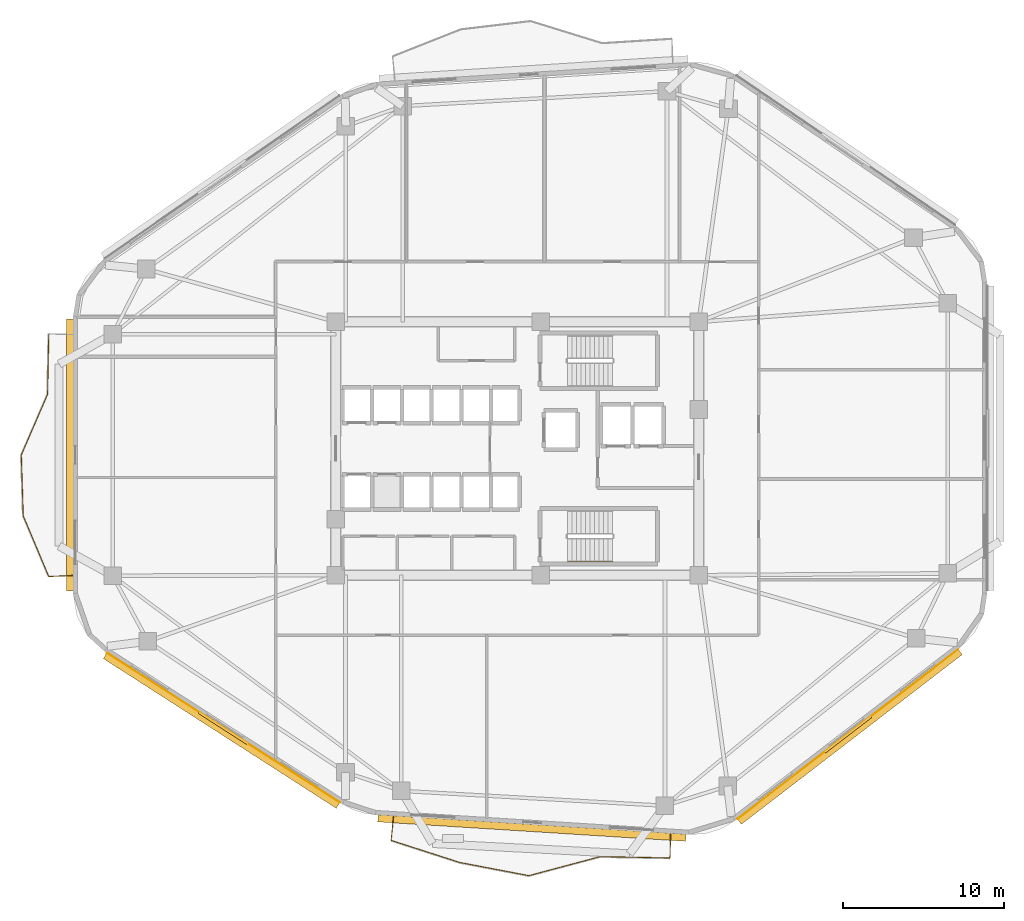
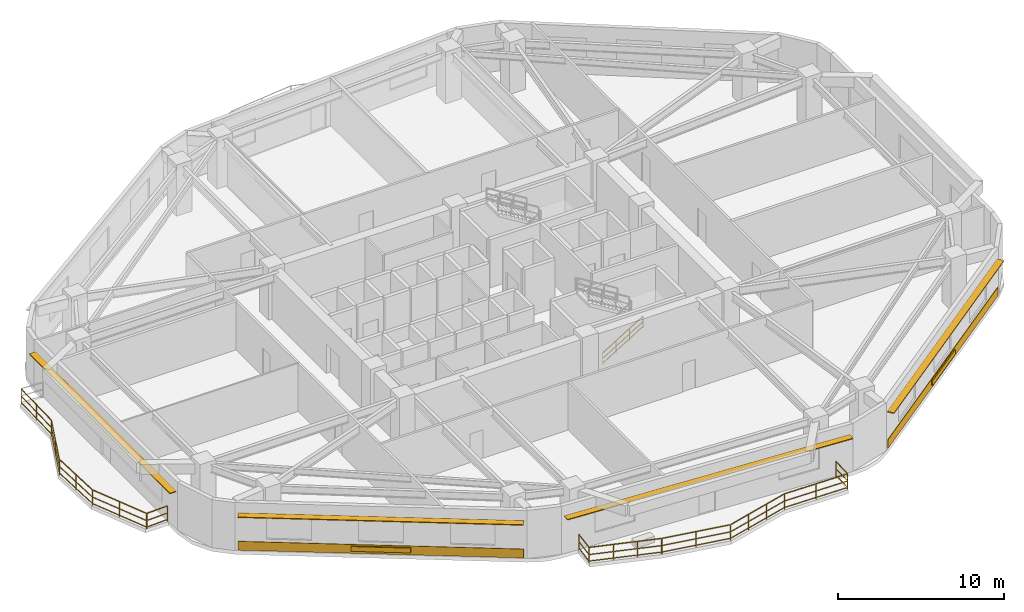
# One storey, part 7 of 10: 12 railings, 6 shading devices, 2 coverings.
"""IFC4 building model written with IfcOpenShell, lengths in metres."""

from ifc_helpers import new_model, si_unit, direction, frame, origin, origin_2d, place, context, subcontext, project, spatial, rectangle, extrude, material, layer, layer_set, type_object, element, save


model = new_model("IFC4")

# Units and contexts
model_context = context("Model", 3, precision=1e-05, world=origin(), true_north=direction((0.0, 1.0)))
body_context = subcontext(model_context, "Body", "Model", "MODEL_VIEW")
ifc_project = project(units=[si_unit("LENGTHUNIT", "METRE"), si_unit("AREAUNIT", "SQUARE_METRE"), si_unit("VOLUMEUNIT", "CUBIC_METRE"), si_unit("PLANEANGLEUNIT", "RADIAN"), si_unit("MASSUNIT", "GRAM", prefix="KILO")], contexts=[model_context])

# Site, building, storey
site_placement = place(None, origin())
site = spatial("IfcSite", under=ifc_project, at=site_placement, CompositionType="ELEMENT")
building_placement = place(site_placement, origin())
building = spatial("IfcBuilding", under=site, at=building_placement, Name="Zulverin Broadcast Headquarters", CompositionType="ELEMENT")
storey_placement = place(building_placement, frame((0.0, 0.0, 97.199951171875)))
storey = spatial("IfcBuildingStorey", under=building, at=storey_placement, Name="L24", CompositionType="ELEMENT", Elevation=97.199951171875)

# Coverings
ifc_material_1 = material(Name="Brushed pale-aluminium rainscreen cladding", Category="aluminium")
ifc_layer_1 = layer(ifc_material_1, 0.0400390625, Name="Brushed pale-aluminium rainscreen cladding", Category="aluminium")
ifc_layer_set_1 = layer_set([ifc_layer_1], Name="Brushed pale-aluminium rainscreen cladding")
covering_type = type_object("IfcCoveringType", Name="COV-CLAD-PALE", PredefinedType="CLADDING", material=ifc_layer_set_1)
covering_1_placement = place(storey_placement, frame((57.542724609375, 7.448974609375, 0.05517578125), z_axis=(0.0, 0.0, 1.0), x_axis=(0.792933468586, 0.609308226102, 0.0)))
element("IfcCovering", 1, at=covering_1_placement, inside=storey, type_object=covering_type, Name="L24 Brushed Pale-Aluminium Spandrel Cladding 2", PredefinedType="CLADDING", context=body_context, shape_type="SweptSolid", body=[
    extrude(rectangle(XDim=17.312744140625, YDim=0.0400390625, at=origin_2d()), origin(), (0.0, 0.0, 1.0), 0.64990234375),
])
covering_2_placement = place(storey_placement, frame((18.732666015625, 7.84130859375, 0.05517578125), z_axis=(0.0, 0.0, 1.0), x_axis=(0.841296678234, -0.540573676007, 0.0)))
element("IfcCovering", 2, at=covering_2_placement, inside=storey, type_object=covering_type, Name="L24 Brushed Pale-Aluminium Spandrel Cladding 8", PredefinedType="CLADDING", context=body_context, shape_type="SweptSolid", body=[
    extrude(rectangle(XDim=17.2119140625, YDim=0.0400390625, at=origin_2d()), origin(), (0.0, 0.0, 1.0), 0.64990234375),
])

# Railings
ifc_material_2 = material(Name="Brushed stainless steel & laminated glass balustrade", Category="steel")
railing_type_1 = type_object("IfcRailingType", Name="RL-GUARD-1150", PredefinedType="GUARDRAIL", material=ifc_material_2)
railing_1_placement = place(storey_placement, frame((7.879638671875, 32.329345703125, 0.0)))
element("IfcRailing", 3, at=railing_1_placement, inside=storey, type_object=railing_type_1, Name="L24 Vertical-Forest Balcony Guardrail BAL_W Segment 02", PredefinedType="GUARDRAIL", context=body_context, shape_type="SweptSolid", body=[
    extrude(rectangle(XDim=0.048095703125, YDim=0.048095703125, at=origin_2d()), frame((0.0, 0.0, 1.1259765625), z_axis=(-0.0196832785, -0.999806265507, 0.0), x_axis=(0.999806265507, -0.0196832785, 0.0)), (0.0, 0.0, 1.0), 3.745849609375),
    extrude(rectangle(XDim=0.0419921875, YDim=0.0419921875, at=origin_2d()), frame((0.0, 0.0, 0.597900390625), z_axis=(-0.0196832785, -0.999806265507, 0.0), x_axis=(0.999806265507, -0.0196832785, 0.0)), (0.0, 0.0, 1.0), 3.745849609375),
    extrude(rectangle(XDim=0.0419921875, YDim=0.0419921875, at=origin_2d()), frame((0.0, 0.0, 0.1201171875), z_axis=(-0.0196832785, -0.999806265507, 0.0), x_axis=(0.999806265507, -0.0196832785, 0.0)), (0.0, 0.0, 1.0), 3.745849609375),
    extrude(rectangle(XDim=0.0419921875, YDim=0.0419921875, at=origin_2d()), origin(), (0.0, 0.0, 1.0), 1.101806640625),
    extrude(rectangle(XDim=0.0419921875, YDim=0.0419921875, at=origin_2d()), frame((-0.036865234375, -1.87255859375, 0.0)), (0.0, 0.0, 1.0), 1.101806640625),
    extrude(rectangle(XDim=0.0419921875, YDim=0.0419921875, at=origin_2d()), frame((-0.07373046875, -3.7451171875, 0.0)), (0.0, 0.0, 1.0), 1.101806640625),
])
railing_2_placement = place(storey_placement, frame((7.799560546875, 28.555419921875, 0.0)))
element("IfcRailing", 4, at=railing_2_placement, inside=storey, type_object=railing_type_1, Name="L24 Vertical-Forest Balcony Guardrail BAL_W Segment 03", PredefinedType="GUARDRAIL", context=body_context, shape_type="SweptSolid", body=[
    extrude(rectangle(XDim=0.048095703125, YDim=0.048095703125, at=origin_2d()), frame((0.0, 0.0, 1.1259765625), z_axis=(-0.396969692409, -0.917831718404, 0.0), x_axis=(0.917831718404, -0.396969692409, 0.0)), (0.0, 0.0, 1.0), 4.0830078125),
    extrude(rectangle(XDim=0.0419921875, YDim=0.0419921875, at=origin_2d()), frame((0.0, 0.0, 0.597900390625), z_axis=(-0.396969692409, -0.917831718404, 0.0), x_axis=(0.917831718404, -0.396969692409, 0.0)), (0.0, 0.0, 1.0), 4.0830078125),
    extrude(rectangle(XDim=0.0419921875, YDim=0.0419921875, at=origin_2d()), frame((0.0, 0.0, 0.1201171875), z_axis=(-0.396969692409, -0.917831718404, 0.0), x_axis=(0.917831718404, -0.396969692409, 0.0)), (0.0, 0.0, 1.0), 4.0830078125),
    extrude(rectangle(XDim=0.0419921875, YDim=0.0419921875, at=origin_2d()), origin(), (0.0, 0.0, 1.0), 1.101806640625),
    extrude(rectangle(XDim=0.0419921875, YDim=0.0419921875, at=origin_2d()), frame((-0.810546875, -1.873779296875, 0.0)), (0.0, 0.0, 1.0), 1.101806640625),
    extrude(rectangle(XDim=0.0419921875, YDim=0.0419921875, at=origin_2d()), frame((-1.620849609375, -3.74755859375, 0.0)), (0.0, 0.0, 1.0), 1.101806640625),
])
railing_3_placement = place(storey_placement, frame((6.173095703125, 24.779052734375, 0.0)))
element("IfcRailing", 5, at=railing_3_placement, inside=storey, type_object=railing_type_1, Name="L24 Vertical-Forest Balcony Guardrail BAL_W Segment 04", PredefinedType="GUARDRAIL", context=body_context, shape_type="SweptSolid", body=[
    extrude(rectangle(XDim=0.048095703125, YDim=0.048095703125, at=origin_2d()), frame((0.0, 0.0, 1.1259765625), z_axis=(0.031729013718, -0.999496508092, 0.0), x_axis=(0.999496508092, 0.031729013718, 0.0)), (0.0, 0.0, 1.0), 3.747314453125),
    extrude(rectangle(XDim=0.0419921875, YDim=0.0419921875, at=origin_2d()), frame((0.0, 0.0, 0.597900390625), z_axis=(0.031729013718, -0.999496508092, 0.0), x_axis=(0.999496508092, 0.031729013718, 0.0)), (0.0, 0.0, 1.0), 3.747314453125),
    extrude(rectangle(XDim=0.0419921875, YDim=0.0419921875, at=origin_2d()), frame((0.0, 0.0, 0.1201171875), z_axis=(0.031729013718, -0.999496508092, 0.0), x_axis=(0.999496508092, 0.031729013718, 0.0)), (0.0, 0.0, 1.0), 3.747314453125),
    extrude(rectangle(XDim=0.0419921875, YDim=0.0419921875, at=origin_2d()), origin(), (0.0, 0.0, 1.0), 1.101806640625),
    extrude(rectangle(XDim=0.0419921875, YDim=0.0419921875, at=origin_2d()), frame((0.0595703125, -1.87255859375, 0.0)), (0.0, 0.0, 1.0), 1.101806640625),
    extrude(rectangle(XDim=0.0419921875, YDim=0.0419921875, at=origin_2d()), frame((0.118896484375, -3.745361328125, 0.0)), (0.0, 0.0, 1.0), 1.101806640625),
])
railing_4_placement = place(storey_placement, frame((6.29833984375, 21.0048828125, 0.0)))
element("IfcRailing", 6, at=railing_4_placement, inside=storey, type_object=railing_type_1, Name="L24 Vertical-Forest Balcony Guardrail BAL_W Segment 05", PredefinedType="GUARDRAIL", context=body_context, shape_type="SweptSolid", body=[
    extrude(rectangle(XDim=0.048095703125, YDim=0.048095703125, at=origin_2d()), frame((0.0, 0.0, 1.1259765625), z_axis=(0.387640829917, -0.921810494072, 0.0), x_axis=(0.921810494072, 0.387640829917, 0.0)), (0.0, 0.0, 1.0), 4.0654296875),
    extrude(rectangle(XDim=0.0419921875, YDim=0.0419921875, at=origin_2d()), frame((0.0, 0.0, 0.597900390625), z_axis=(0.387640829917, -0.921810494072, 0.0), x_axis=(0.921810494072, 0.387640829917, 0.0)), (0.0, 0.0, 1.0), 4.0654296875),
    extrude(rectangle(XDim=0.0419921875, YDim=0.0419921875, at=origin_2d()), frame((0.0, 0.0, 0.1201171875), z_axis=(0.387640829917, -0.921810494072, 0.0), x_axis=(0.921810494072, 0.387640829917, 0.0)), (0.0, 0.0, 1.0), 4.0654296875),
    extrude(rectangle(XDim=0.0419921875, YDim=0.0419921875, at=origin_2d()), origin(), (0.0, 0.0, 1.0), 1.101806640625),
    extrude(rectangle(XDim=0.0419921875, YDim=0.0419921875, at=origin_2d()), frame((0.7880859375, -1.873779296875, 0.0)), (0.0, 0.0, 1.0), 1.101806640625),
    extrude(rectangle(XDim=0.0419921875, YDim=0.0419921875, at=origin_2d()), frame((1.575927734375, -3.74755859375, 0.0)), (0.0, 0.0, 1.0), 1.101806640625),
])
railing_5_placement = place(storey_placement, frame((7.89501953125, 17.244140625, 0.0)))
element("IfcRailing", 7, at=railing_5_placement, inside=storey, type_object=railing_type_1, Name="L24 Vertical-Forest Balcony Guardrail BAL_W Segment 06", PredefinedType="GUARDRAIL", context=body_context, shape_type="SweptSolid", body=[
    extrude(rectangle(XDim=0.048095703125, YDim=0.048095703125, at=origin_2d()), frame((0.0, 0.0, 1.1259765625), z_axis=(0.999174410196, 0.040626321628, 0.0), x_axis=(-0.040626321628, 0.999174410196, 0.0)), (0.0, 0.0, 1.0), 1.46630859375),
    extrude(rectangle(XDim=0.0419921875, YDim=0.0419921875, at=origin_2d()), frame((0.0, 0.0, 0.597900390625), z_axis=(0.999174410196, 0.040626321628, 0.0), x_axis=(-0.040626321628, 0.999174410196, 0.0)), (0.0, 0.0, 1.0), 1.46630859375),
    extrude(rectangle(XDim=0.0419921875, YDim=0.0419921875, at=origin_2d()), frame((0.0, 0.0, 0.1201171875), z_axis=(0.999174410196, 0.040626321628, 0.0), x_axis=(-0.040626321628, 0.999174410196, 0.0)), (0.0, 0.0, 1.0), 1.46630859375),
    extrude(rectangle(XDim=0.0419921875, YDim=0.0419921875, at=origin_2d()), origin(), (0.0, 0.0, 1.0), 1.101806640625),
    extrude(rectangle(XDim=0.0419921875, YDim=0.0419921875, at=origin_2d()), frame((1.465087890625, 0.0595703125, 0.0)), (0.0, 0.0, 1.0), 1.101806640625),
])
railing_6_placement = place(storey_placement, frame((29.3076171875, 2.318603515625, 0.0)))
element("IfcRailing", 8, at=railing_6_placement, inside=storey, type_object=railing_type_1, Name="L24 Vertical-Forest Balcony Guardrail BAL_S Segment 01", PredefinedType="GUARDRAIL", context=body_context, shape_type="SweptSolid", body=[
    extrude(rectangle(XDim=0.048095703125, YDim=0.048095703125, at=origin_2d()), frame((0.0, 0.0, 1.1259765625), z_axis=(-0.103228615139, -0.99465765619, 0.0), x_axis=(0.99465765619, -0.103228615139, 0.0)), (0.0, 0.0, 1.0), 1.46630859375),
    extrude(rectangle(XDim=0.0419921875, YDim=0.0419921875, at=origin_2d()), frame((0.0, 0.0, 0.597900390625), z_axis=(-0.103228615139, -0.99465765619, 0.0), x_axis=(0.99465765619, -0.103228615139, 0.0)), (0.0, 0.0, 1.0), 1.46630859375),
    extrude(rectangle(XDim=0.0419921875, YDim=0.0419921875, at=origin_2d()), frame((0.0, 0.0, 0.1201171875), z_axis=(-0.103228615139, -0.99465765619, 0.0), x_axis=(0.99465765619, -0.103228615139, 0.0)), (0.0, 0.0, 1.0), 1.46630859375),
    extrude(rectangle(XDim=0.0419921875, YDim=0.0419921875, at=origin_2d()), origin(), (0.0, 0.0, 1.0), 1.101806640625),
    extrude(rectangle(XDim=0.0419921875, YDim=0.0419921875, at=origin_2d()), frame((-0.1513671875, -1.45849609375, 0.0)), (0.0, 0.0, 1.0), 1.101806640625),
])
railing_7_placement = place(storey_placement, frame((29.1689453125, 0.840576171875, 0.0)))
element("IfcRailing", 9, at=railing_7_placement, inside=storey, type_object=railing_type_1, Name="L24 Vertical-Forest Balcony Guardrail BAL_S Segment 02", PredefinedType="GUARDRAIL", context=body_context, shape_type="SweptSolid", body=[
    extrude(rectangle(XDim=0.048095703125, YDim=0.048095703125, at=origin_2d()), frame((0.0, 0.0, 1.1259765625), z_axis=(0.951917226438, -0.306355339453, 0.0), x_axis=(0.306355339453, 0.951917226438, 0.0)), (0.0, 0.0, 1.0), 4.45166015625),
    extrude(rectangle(XDim=0.0419921875, YDim=0.0419921875, at=origin_2d()), frame((0.0, 0.0, 0.597900390625), z_axis=(0.951917226438, -0.306355339453, 0.0), x_axis=(0.306355339453, 0.951917226438, 0.0)), (0.0, 0.0, 1.0), 4.45166015625),
    extrude(rectangle(XDim=0.0419921875, YDim=0.0419921875, at=origin_2d()), frame((0.0, 0.0, 0.1201171875), z_axis=(0.951917226438, -0.306355339453, 0.0), x_axis=(0.306355339453, 0.951917226438, 0.0)), (0.0, 0.0, 1.0), 4.45166015625),
    extrude(rectangle(XDim=0.0419921875, YDim=0.0419921875, at=origin_2d()), origin(), (0.0, 0.0, 1.0), 1.101806640625),
    extrude(rectangle(XDim=0.0419921875, YDim=0.0419921875, at=origin_2d()), frame((1.41259765625, -0.45458984375, 0.0)), (0.0, 0.0, 1.0), 1.101806640625),
    extrude(rectangle(XDim=0.0419921875, YDim=0.0419921875, at=origin_2d()), frame((2.824951171875, -0.9091796875, 0.0)), (0.0, 0.0, 1.0), 1.101806640625),
    extrude(rectangle(XDim=0.0419921875, YDim=0.0419921875, at=origin_2d()), frame((4.237548828125, -1.36376953125, 0.0)), (0.0, 0.0, 1.0), 1.101806640625),
])
railing_8_placement = place(storey_placement, frame((33.435546875, -0.53076171875, 0.0)))
element("IfcRailing", 10, at=railing_8_placement, inside=storey, type_object=railing_type_1, Name="L24 Vertical-Forest Balcony Guardrail BAL_S Segment 03", PredefinedType="GUARDRAIL", context=body_context, shape_type="SweptSolid", body=[
    extrude(rectangle(XDim=0.048095703125, YDim=0.048095703125, at=origin_2d()), frame((0.0, 0.0, 1.1259765625), z_axis=(0.982284473635, -0.187395872035, 0.0), x_axis=(0.187395872035, 0.982284473635, 0.0)), (0.0, 0.0, 1.0), 4.348876953125),
    extrude(rectangle(XDim=0.0419921875, YDim=0.0419921875, at=origin_2d()), frame((0.0, 0.0, 0.597900390625), z_axis=(0.982284473635, -0.187395872035, 0.0), x_axis=(0.187395872035, 0.982284473635, 0.0)), (0.0, 0.0, 1.0), 4.348876953125),
    extrude(rectangle(XDim=0.0419921875, YDim=0.0419921875, at=origin_2d()), frame((0.0, 0.0, 0.1201171875), z_axis=(0.982284473635, -0.187395872035, 0.0), x_axis=(0.187395872035, 0.982284473635, 0.0)), (0.0, 0.0, 1.0), 4.348876953125),
    extrude(rectangle(XDim=0.0419921875, YDim=0.0419921875, at=origin_2d()), origin(), (0.0, 0.0, 1.0), 1.101806640625),
    extrude(rectangle(XDim=0.0419921875, YDim=0.0419921875, at=origin_2d()), frame((2.1357421875, -0.407470703125, 0.0)), (0.0, 0.0, 1.0), 1.101806640625),
    extrude(rectangle(XDim=0.0419921875, YDim=0.0419921875, at=origin_2d()), frame((4.271728515625, -0.81494140625, 0.0)), (0.0, 0.0, 1.0), 1.101806640625),
])
railing_9_placement = place(storey_placement, frame((37.736572265625, -1.344482421875, 0.0)))
element("IfcRailing", 11, at=railing_9_placement, inside=storey, type_object=railing_type_1, Name="L24 Vertical-Forest Balcony Guardrail BAL_S Segment 04", PredefinedType="GUARDRAIL", context=body_context, shape_type="SweptSolid", body=[
    extrude(rectangle(XDim=0.048095703125, YDim=0.048095703125, at=origin_2d()), frame((0.0, 0.0, 1.1259765625), z_axis=(0.966118244001, 0.258099861699, 0.0), x_axis=(-0.258099861699, 0.966118244001, 0.0)), (0.0, 0.0, 1.0), 4.552734375),
    extrude(rectangle(XDim=0.0419921875, YDim=0.0419921875, at=origin_2d()), frame((0.0, 0.0, 0.597900390625), z_axis=(0.966118244001, 0.258099861699, 0.0), x_axis=(-0.258099861699, 0.966118244001, 0.0)), (0.0, 0.0, 1.0), 4.552734375),
    extrude(rectangle(XDim=0.0419921875, YDim=0.0419921875, at=origin_2d()), frame((0.0, 0.0, 0.1201171875), z_axis=(0.966118244001, 0.258099861699, 0.0), x_axis=(-0.258099861699, 0.966118244001, 0.0)), (0.0, 0.0, 1.0), 4.552734375),
    extrude(rectangle(XDim=0.0419921875, YDim=0.0419921875, at=origin_2d()), origin(), (0.0, 0.0, 1.0), 1.101806640625),
    extrude(rectangle(XDim=0.0419921875, YDim=0.0419921875, at=origin_2d()), frame((1.466064453125, 0.3916015625, 0.0)), (0.0, 0.0, 1.0), 1.101806640625),
    extrude(rectangle(XDim=0.0419921875, YDim=0.0419921875, at=origin_2d()), frame((2.932373046875, 0.783447265625, 0.0)), (0.0, 0.0, 1.0), 1.101806640625),
    extrude(rectangle(XDim=0.0419921875, YDim=0.0419921875, at=origin_2d()), frame((4.3984375, 1.175048828125, 0.0)), (0.0, 0.0, 1.0), 1.101806640625),
])
railing_10_placement = place(storey_placement, frame((42.164306640625, -0.166015625, 0.0)))
element("IfcRailing", 12, at=railing_10_placement, inside=storey, type_object=railing_type_1, Name="L24 Vertical-Forest Balcony Guardrail BAL_S Segment 05", PredefinedType="GUARDRAIL", context=body_context, shape_type="SweptSolid", body=[
    extrude(rectangle(XDim=0.048095703125, YDim=0.048095703125, at=origin_2d()), frame((0.0, 0.0, 1.1259765625), z_axis=(0.999818510158, -0.019051161253, 0.0), x_axis=(0.019051161253, 0.999818510158, 0.0)), (0.0, 0.0, 1.0), 4.318603515625),
    extrude(rectangle(XDim=0.0419921875, YDim=0.0419921875, at=origin_2d()), frame((0.0, 0.0, 0.597900390625), z_axis=(0.999818510158, -0.019051161253, 0.0), x_axis=(0.019051161253, 0.999818510158, 0.0)), (0.0, 0.0, 1.0), 4.318603515625),
    extrude(rectangle(XDim=0.0419921875, YDim=0.0419921875, at=origin_2d()), frame((0.0, 0.0, 0.1201171875), z_axis=(0.999818510158, -0.019051161253, 0.0), x_axis=(0.019051161253, 0.999818510158, 0.0)), (0.0, 0.0, 1.0), 4.318603515625),
    extrude(rectangle(XDim=0.0419921875, YDim=0.0419921875, at=origin_2d()), origin(), (0.0, 0.0, 1.0), 1.101806640625),
    extrude(rectangle(XDim=0.0419921875, YDim=0.0419921875, at=origin_2d()), frame((2.158935546875, -0.041015625, 0.0)), (0.0, 0.0, 1.0), 1.101806640625),
    extrude(rectangle(XDim=0.0419921875, YDim=0.0419921875, at=origin_2d()), frame((4.31787109375, -0.082275390625, 0.0)), (0.0, 0.0, 1.0), 1.101806640625),
])
railing_11_placement = place(storey_placement, frame((46.497314453125, -0.233642578125, 0.0)))
element("IfcRailing", 13, at=railing_11_placement, inside=storey, type_object=railing_type_1, Name="L24 Vertical-Forest Balcony Guardrail BAL_S Segment 06", PredefinedType="GUARDRAIL", context=body_context, shape_type="SweptSolid", body=[
    extrude(rectangle(XDim=0.048095703125, YDim=0.048095703125, at=origin_2d()), frame((0.0, 0.0, 1.1259765625), z_axis=(0.022641987457, 0.999743637341, 0.0), x_axis=(-0.999743637341, 0.022641987457, 0.0)), (0.0, 0.0, 1.0), 1.466552734375),
    extrude(rectangle(XDim=0.0419921875, YDim=0.0419921875, at=origin_2d()), frame((0.0, 0.0, 0.597900390625), z_axis=(0.022641987457, 0.999743637341, 0.0), x_axis=(-0.999743637341, 0.022641987457, 0.0)), (0.0, 0.0, 1.0), 1.466552734375),
    extrude(rectangle(XDim=0.0419921875, YDim=0.0419921875, at=origin_2d()), frame((0.0, 0.0, 0.1201171875), z_axis=(0.022641987457, 0.999743637341, 0.0), x_axis=(-0.999743637341, 0.022641987457, 0.0)), (0.0, 0.0, 1.0), 1.466552734375),
    extrude(rectangle(XDim=0.0419921875, YDim=0.0419921875, at=origin_2d()), origin(), (0.0, 0.0, 1.0), 1.101806640625),
    extrude(rectangle(XDim=0.0419921875, YDim=0.0419921875, at=origin_2d()), frame((0.033203125, 1.466064453125, 0.0)), (0.0, 0.0, 1.0), 1.101806640625),
])
ifc_material_3 = material(Name="Brushed stainless steel 48 mm handrail", Category="steel")
railing_type_2 = type_object("IfcRailingType", Name="RL-ST-HAND", PredefinedType="HANDRAIL", material=ifc_material_3)
railing_12_placement = place(storey_placement, frame((40.1298828125, 18.199951171875, 0.1728515625)))
element("IfcRailing", 14, at=railing_12_placement, inside=storey, type_object=railing_type_2, Name="L24 ST-2 stair handrail 1", PredefinedType="HANDRAIL", context=body_context, shape_type="SweptSolid", body=[
    extrude(rectangle(XDim=0.048095703125, YDim=0.048095703125, at=origin_2d()), frame((0.0, 0.0, 0.8759765625), z_axis=(0.851089632645, 0.0, 0.525020415988), x_axis=(0.0, 1.0, 0.0)), (0.0, 0.0, 1.0), 3.2900390625),
    extrude(rectangle(XDim=0.0419921875, YDim=0.0419921875, at=origin_2d()), frame((0.0, 0.0, 0.468017578125), z_axis=(0.851089632645, 0.0, 0.525020415988), x_axis=(0.0, 1.0, 0.0)), (0.0, 0.0, 1.0), 3.2900390625),
    extrude(rectangle(XDim=0.0419921875, YDim=0.0419921875, at=origin_2d()), frame((0.0, 0.0, 0.1201171875), z_axis=(0.851089632645, 0.0, 0.525020415988), x_axis=(0.0, 1.0, 0.0)), (0.0, 0.0, 1.0), 3.2900390625),
    extrude(rectangle(XDim=0.0419921875, YDim=0.0419921875, at=origin_2d()), origin(), (0.0, 0.0, 1.0), 0.851806640625),
    extrude(rectangle(XDim=0.0419921875, YDim=0.0419921875, at=origin_2d()), frame((0.933349609375, 0.0, 0.57568359375)), (0.0, 0.0, 1.0), 0.851806640625),
    extrude(rectangle(XDim=0.0419921875, YDim=0.0419921875, at=origin_2d()), frame((1.86669921875, 0.0, 1.151611328125)), (0.0, 0.0, 1.0), 0.851806640625),
    extrude(rectangle(XDim=0.0419921875, YDim=0.0419921875, at=origin_2d()), frame((2.800048828125, 0.0, 1.727294921875)), (0.0, 0.0, 1.0), 0.851806640625),
])

# Shading devices
ifc_material_4 = material(Name="Anodized pale-metal aluminium acoustic louvre", Category="aluminium")
shading_device_type_1 = type_object("IfcShadingDeviceType", Name="SHD-LOUVRE-350", PredefinedType="USERDEFINED", material=ifc_material_4)
for number, where, z_axis, x_axis, name in (
    (15, (57.56103515625, 7.425048828125, 0.2451171875), (0.0, 0.0, 1.0), (0.792933468586, 0.609308226102, 0.0), "L24 Spandrel Intake Louvre 2"),
    (16, (18.71630859375, 7.816162109375, 0.2451171875), (0.0, 0.0, 1.0), (0.841296678234, -0.540573676007, 0.0), "L24 Spandrel Intake Louvre 8"),
):
    element("IfcShadingDevice", number, at=place(storey_placement, frame(where, z_axis=z_axis, x_axis=x_axis)), inside=storey, type_object=shading_device_type_1, Name=name, ObjectType="LOUVRE", PredefinedType="USERDEFINED", context=body_context, shape_type="SweptSolid", body=[
        extrude(rectangle(XDim=3.60009765625, YDim=0.1201171875, at=origin_2d()), origin(), (0.0, 0.0, 1.0), 0.35009765625),
    ])
ifc_material_5 = material(Name="Anodized pale-metal aluminium sunshade", Category="aluminium")
ifc_layer_2 = layer(ifc_material_5, 0.06005859375, Name="Anodized pale-metal aluminium sunshade", Category="aluminium")
ifc_layer_set_2 = layer_set([ifc_layer_2], Name="Anodized pale-metal aluminium sunshade")
shading_device_type_2 = type_object("IfcShadingDeviceType", Name="SS-01_PALE_METAL_ALUMINIUM_SUNSHADE", PredefinedType="USERDEFINED", material=ifc_layer_set_2)
shading_device_1_placement = place(storey_placement, frame((37.908935546875, 1.61572265625, 2.7099609375), z_axis=(0.0, 0.0, 1.0), x_axis=(0.998017182581, -0.062942062821, 0.0)))
element("IfcShadingDevice", 17, at=shading_device_1_placement, inside=storey, type_object=shading_device_type_2, Name="L24 Horizontal Pale-Metal Sunshade Band 1", ObjectType="SUNSHADE", PredefinedType="USERDEFINED", context=body_context, shape_type="SweptSolid", body=[
    extrude(rectangle(XDim=19.177001953125, YDim=0.449951171875, at=origin_2d()), origin(), (0.0, 0.0, 1.0), 0.06005859375),
])
shading_device_2_placement = place(storey_placement, frame((57.658447265625, 7.29833984375, 2.7099609375), z_axis=(0.0, 0.0, 1.0), x_axis=(0.792933468586, 0.609308226102, 0.0)))
element("IfcShadingDevice", 18, at=shading_device_2_placement, inside=storey, type_object=shading_device_type_2, Name="L24 Horizontal Pale-Metal Sunshade Band 2", ObjectType="SUNSHADE", PredefinedType="USERDEFINED", context=body_context, shape_type="SweptSolid", body=[
    extrude(rectangle(XDim=17.312744140625, YDim=0.449951171875, at=origin_2d()), origin(), (0.0, 0.0, 1.0), 0.06005859375),
])
shading_device_3_placement = place(storey_placement, frame((9.199951171875, 24.7939453125, 2.7099609375), z_axis=(0.0, 0.0, 1.0), x_axis=(0.0, -1.0, 0.0)))
element("IfcShadingDevice", 19, at=shading_device_3_placement, inside=storey, type_object=shading_device_type_2, Name="L24 Horizontal Pale-Metal Sunshade Band 7", ObjectType="SUNSHADE", PredefinedType="USERDEFINED", context=body_context, shape_type="SweptSolid", body=[
    extrude(rectangle(XDim=16.90087890625, YDim=0.449951171875, at=origin_2d()), origin(), (0.0, 0.0, 1.0), 0.06005859375),
])
shading_device_4_placement = place(storey_placement, frame((18.6298828125, 7.681640625, 2.7099609375), z_axis=(0.0, 0.0, 1.0), x_axis=(0.841296678234, -0.540573676007, 0.0)))
element("IfcShadingDevice", 20, at=shading_device_4_placement, inside=storey, type_object=shading_device_type_2, Name="L24 Horizontal Pale-Metal Sunshade Band 8", ObjectType="SUNSHADE", PredefinedType="USERDEFINED", context=body_context, shape_type="SweptSolid", body=[
    extrude(rectangle(XDim=17.2119140625, YDim=0.449951171875, at=origin_2d()), origin(), (0.0, 0.0, 1.0), 0.06005859375),
])

save(model, "model.ifc")
